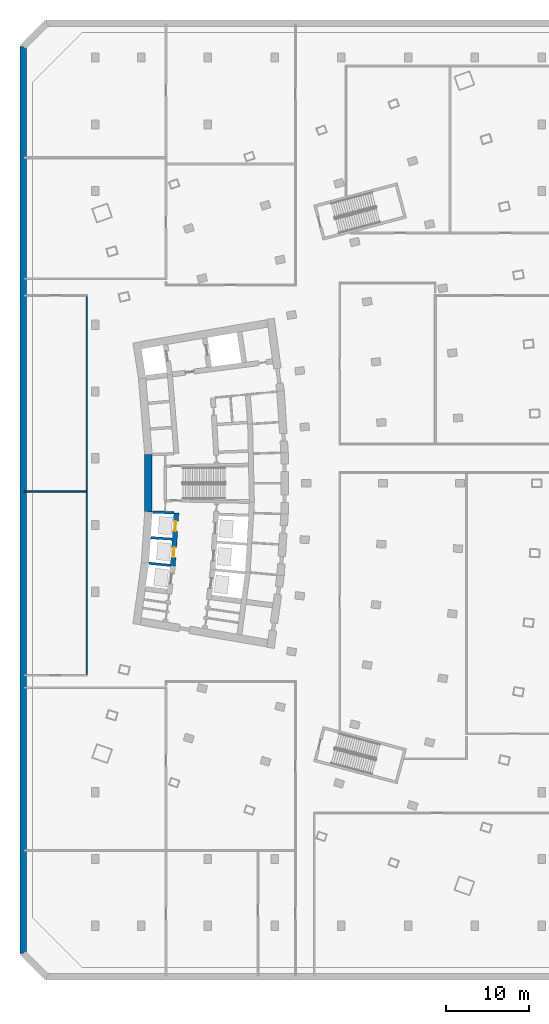
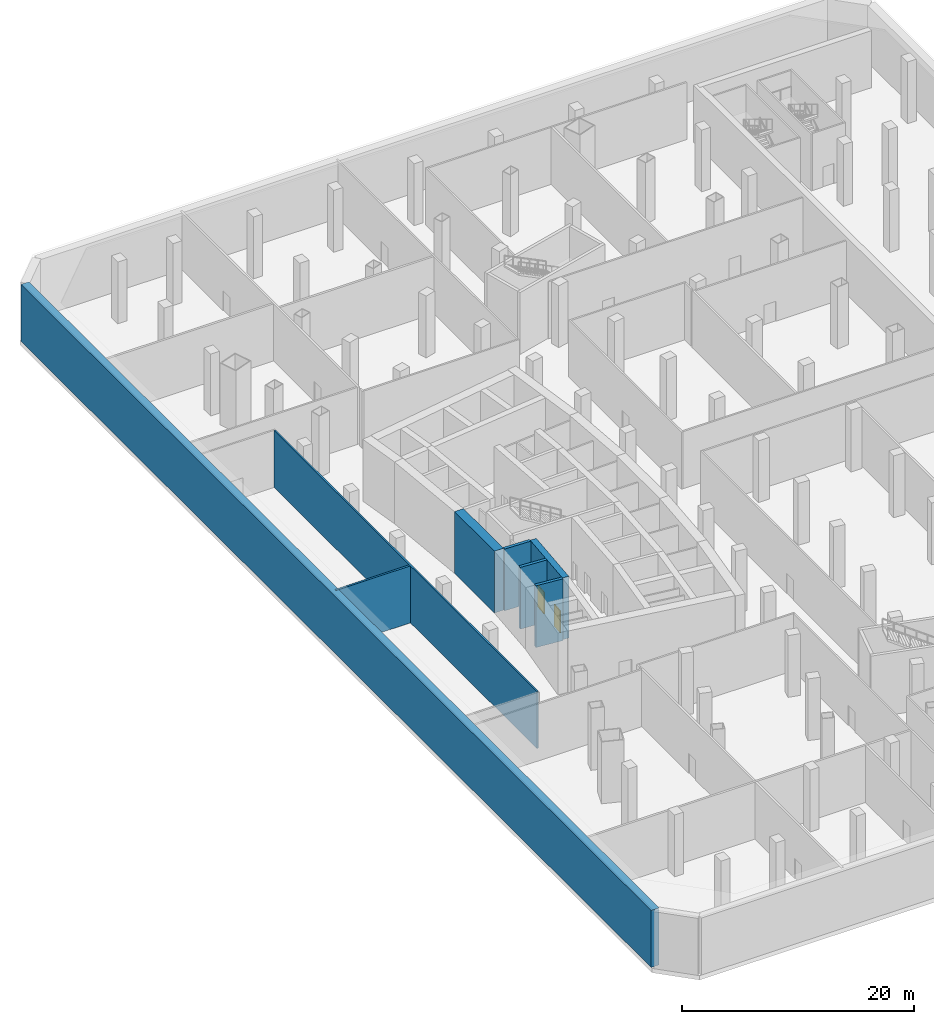
# One storey, part 4 of 16: 8 walls, 2 doors, 2 openings.
"""IFC4 building model written with IfcOpenShell, lengths in metres."""

from ifc_helpers import new_model, si_unit, direction, frame, frame_2d, origin, place, context, subcontext, project, spatial, rectangle, extrude, material, layer, layer_set, type_object, element, fill, save


model = new_model("IFC4")

# Units and contexts
model_context = context("Model", 3, precision=1e-05, world=origin(), true_north=direction((0.0, 1.0)))
body_context = subcontext(model_context, "Body", "Model", "MODEL_VIEW")
ifc_project = project(units=[si_unit("LENGTHUNIT", "METRE"), si_unit("AREAUNIT", "SQUARE_METRE"), si_unit("VOLUMEUNIT", "CUBIC_METRE"), si_unit("PLANEANGLEUNIT", "RADIAN"), si_unit("MASSUNIT", "GRAM", prefix="KILO")], contexts=[model_context])

# Site, building, storey
site_placement = place(None, origin())
site = spatial("IfcSite", under=ifc_project, at=site_placement, CompositionType="ELEMENT")
building_placement = place(site_placement, origin())
building = spatial("IfcBuilding", under=site, at=building_placement, Name="Alderwake Tower", CompositionType="ELEMENT")
storey_placement = place(building_placement, frame((0.0, 0.0, -6.5)))
storey = spatial("IfcBuildingStorey", under=building, at=storey_placement, Name="B1", CompositionType="ELEMENT", Elevation=-6.5)

# Walls
ifc_material_1 = material(Name="Concrete C50/60", Category="concrete")
ifc_layer_1 = layer(ifc_material_1, 0.800048828125)
ifc_layer_set_1 = layer_set([ifc_layer_1], Name="Basement retaining wall 800")
wall_type_1 = type_object("IfcWallType", Name="Basement retaining wall 800", PredefinedType="SOLIDWALL", material=ifc_layer_set_1)
wall_1_placement = place(storey_placement, frame((1.89990234375, 4.665771484375, 0.0), z_axis=(0.0, 0.0, 1.0), x_axis=(0.0, 1.0, 0.0)))
element("IfcWall", 1, at=wall_1_placement, inside=storey, type_object=wall_type_1, Name="Retaining wall 2", PredefinedType="SOLIDWALL", context=body_context, shape_type="SweptSolid", body=[
    extrude(rectangle(XDim=108.66845703125, YDim=0.800048828125, at=frame_2d((54.334228515625, 0.0))), origin(), (0.0, 0.0, 1.0), 6.0),
])
ifc_material_2 = material(Name="Concrete C70/85", Category="concrete")
ifc_layer_2 = layer(ifc_material_2, 0.89990234375)
ifc_layer_set_2 = layer_set([ifc_layer_2], Name="Core wall outer 900 C70-85")
wall_type_2 = type_object("IfcWallType", Name="Core wall outer 900 C70-85", PredefinedType="SHEAR", material=ifc_layer_set_2)
wall_2_placement = place(storey_placement, frame((16.889404296875, 57.5546875, 0.0), z_axis=(0.0, 0.0, 1.0), x_axis=(0.0, 1.0, 0.0)))
element("IfcWall", 2, at=wall_2_placement, inside=storey, type_object=wall_type_2, Name="Core wall CW.043", PredefinedType="SHEAR", context=body_context, shape_type="SweptSolid", body=[
    extrude(rectangle(XDim=6.89404296875, YDim=0.89990234375, at=frame_2d((3.447021484375, 0.0))), origin(), (0.0, 0.0, 1.0), 6.5),
])
ifc_material_3 = material(Name="Concrete C70/85", Category="concrete")
ifc_layer_3 = layer(ifc_material_3, 0.300048828125)
ifc_layer_set_3 = layer_set([ifc_layer_3], Name="Core wall shaft 300 C70-85")
wall_type_3 = type_object("IfcWallType", Name="Core wall shaft 300 C70-85", PredefinedType="SHEAR", material=ifc_layer_set_3)
wall_3_placement = place(storey_placement, frame((16.9580078125, 51.4189453125, 0.0), z_axis=(0.0, 0.0, 1.0), x_axis=(0.995153154577, -0.098337169657, 0.0)))
element("IfcWall", 3, at=wall_3_placement, inside=storey, type_object=wall_type_3, Name="Core wall CW.065", PredefinedType="SHEAR", context=body_context, shape_type="SweptSolid", body=[
    extrude(rectangle(XDim=2.569580078125, YDim=0.300048828125, at=frame_2d((1.28466796875, 0.0))), origin(), (0.0, 0.0, 1.0), 6.5),
])
wall_4_placement = place(storey_placement, frame((17.16357421875, 54.486083984375, 0.0), z_axis=(0.0, 0.0, 1.0), x_axis=(0.997758581961, -0.066916456292, 0.0)))
element("IfcWall", 4, at=wall_4_placement, inside=storey, type_object=wall_type_3, Name="Core wall CW.079", PredefinedType="SHEAR", context=body_context, shape_type="SweptSolid", body=[
    extrude(rectangle(XDim=2.568603515625, YDim=0.300048828125, at=frame_2d((1.2841796875, 0.0))), origin(), (0.0, 0.0, 1.0), 6.5),
])
wall_5_placement = place(storey_placement, frame((17.369140625, 57.553466796875, 0.0), z_axis=(0.0, 0.0, 1.0), x_axis=(0.99937189907, -0.035437372217, 0.0)))
element("IfcWall", 5, at=wall_5_placement, inside=storey, type_object=wall_type_3, Name="Core wall CW.076", PredefinedType="SHEAR", context=body_context, shape_type="SweptSolid", body=[
    extrude(rectangle(XDim=2.56982421875, YDim=0.300048828125, at=frame_2d((1.284912109375, 0.0))), origin(), (0.0, 0.0, 1.0), 6.5),
])

# Wall, openings, doors
ifc_material_4 = material(Name="Concrete C70/85", Category="concrete")
ifc_layer_4 = layer(ifc_material_4, 0.60009765625)
ifc_layer_set_4 = layer_set([ifc_layer_4], Name="Core wall spine 600 C70-85")
wall_type_4 = type_object("IfcWallType", Name="Core wall spine 600 C70-85", PredefinedType="SHEAR", material=ifc_layer_set_4)
wall_6_placement = place(storey_placement, frame((19.813232421875, 51.12646484375, 0.0), z_axis=(0.0, 0.0, 1.0), x_axis=(0.066892179723, 0.997760209816, 0.0)))
wall_6 = element("IfcWall", 6, at=wall_6_placement, inside=storey, type_object=wall_type_4, Name="Core wall CW.032", PredefinedType="SHEAR", context=body_context, shape_type="SweptSolid", body=[
    extrude(rectangle(XDim=6.339599609375, YDim=0.60009765625, at=frame_2d((3.169921875, 0.0))), origin(), (0.0, 0.0, 1.0), 6.5),
])
opening_1_placement = place(wall_6_placement, frame((0.992431640625, 0.0, 0.0)))
opening_1 = element("IfcOpeningElement", 7, at=opening_1_placement, cuts=wall_6, Name="Opening LD-LP2", PredefinedType="OPENING", context=body_context, shape_type="SweptSolid", body=[
    extrude(rectangle(XDim=1.199951171875, YDim=2.300048828125, at=frame_2d((0.60009765625, 1.14990234375))), frame((0.0, 0.31005859375, 0.0), z_axis=(0.0, -1.0, 0.0), x_axis=(1.0, 0.0, 0.0)), (0.0, 0.0, 1.0), 0.6201171875),
])
opening_2_placement = place(wall_6_placement, frame((4.157470703125, 0.0, 0.0)))
opening_2 = element("IfcOpeningElement", 8, at=opening_2_placement, cuts=wall_6, Name="Opening LD-LP3", PredefinedType="OPENING", context=body_context, shape_type="SweptSolid", body=[
    extrude(rectangle(XDim=1.199951171875, YDim=2.300048828125, at=frame_2d((0.60009765625, 1.14990234375))), frame((0.0, 0.31005859375, 0.0), z_axis=(0.0, -1.0, 0.0), x_axis=(1.0, 0.0, 0.0)), (0.0, 0.0, 1.0), 0.6201171875),
])
ifc_material_5 = material(Name="Stainless steel sliding leaf", Category="steel")
door_type = type_object("IfcDoorType", Name="Lift landing door 1200", OperationType="SLIDING_TO_LEFT", PredefinedType="DOOR", material=ifc_material_5)
door_1_placement = place(opening_1_placement, origin())
door_1 = element("IfcDoor", 9, at=door_1_placement, inside=storey, type_object=door_type, Name="Lift landing door LP2", OperationType="SLIDING_TO_LEFT", OverallHeight=2.300048828125, OverallWidth=1.199951171875, PredefinedType="DOOR", context=body_context, shape_type="SweptSolid", body=[
    extrude(rectangle(XDim=1.199951171875, YDim=2.300048828125, at=frame_2d((0.60009765625, 1.14990234375))), frame((0.0, 0.050048828125, 0.0), z_axis=(0.0, -1.0, 0.0), x_axis=(1.0, 0.0, 0.0)), (0.0, 0.0, 1.0), 0.10009765625),
])
fill(opening_1, door_1)
door_2_placement = place(opening_2_placement, origin())
door_2 = element("IfcDoor", 10, at=door_2_placement, inside=storey, type_object=door_type, Name="Lift landing door LP3", OperationType="SLIDING_TO_LEFT", OverallHeight=2.300048828125, OverallWidth=1.199951171875, PredefinedType="DOOR", context=body_context, shape_type="SweptSolid", body=[
    extrude(rectangle(XDim=1.199951171875, YDim=2.300048828125, at=frame_2d((0.60009765625, 1.14990234375))), frame((0.0, 0.050048828125, 0.0), z_axis=(0.0, -1.0, 0.0), x_axis=(1.0, 0.0, 0.0)), (0.0, 0.0, 1.0), 0.10009765625),
])
fill(opening_2, door_2)

# Walls
ifc_material_6 = material(Name="Gypsum board on metal studs, rated")
ifc_layer_5 = layer(ifc_material_6, 0.159912109375)
ifc_layer_set_5 = layer_set([ifc_layer_5], Name="Corridor wall 160")
wall_type_5 = type_object("IfcWallType", Name="Corridor wall 160", PredefinedType="PARTITIONING", material=ifc_layer_set_5)
wall_7_placement = place(storey_placement, frame((9.5009765625, 83.4189453125, 0.0), z_axis=(0.0, 0.0, 1.0), x_axis=(0.0, -1.0, 0.0)))
element("IfcWall", 11, at=wall_7_placement, inside=storey, type_object=wall_type_5, Name="WL/B1/W34", PredefinedType="PARTITIONING", context=body_context, shape_type="SweptSolid", body=[
    extrude(rectangle(XDim=45.337890625, YDim=0.159912109375, at=frame_2d((22.6689453125, 0.0))), origin(), (0.0, 0.0, 1.0), 6.0),
])
ifc_material_7 = material(Name="Dense block masonry wall", Category="masonry")
ifc_layer_6 = layer(ifc_material_7, 0.199951171875)
ifc_layer_set_6 = layer_set([ifc_layer_6], Name="Party wall 200")
wall_type_6 = type_object("IfcWallType", Name="Party wall 200", PredefinedType="SOLIDWALL", material=ifc_layer_set_6)
wall_8_placement = place(storey_placement, frame((9.4208984375, 60.0, 0.0), z_axis=(0.0, 0.0, 1.0), x_axis=(-1.0, 0.0, 0.0)))
element("IfcWall", 12, at=wall_8_placement, inside=storey, type_object=wall_type_6, Name="WL/B1/W02", PredefinedType="SOLIDWALL", context=body_context, shape_type="SweptSolid", body=[
    extrude(rectangle(XDim=7.419921875, YDim=0.199951171875, at=frame_2d((3.7099609375, 0.0))), origin(), (0.0, 0.0, 1.0), 6.0),
])

save(model, "model.ifc")
